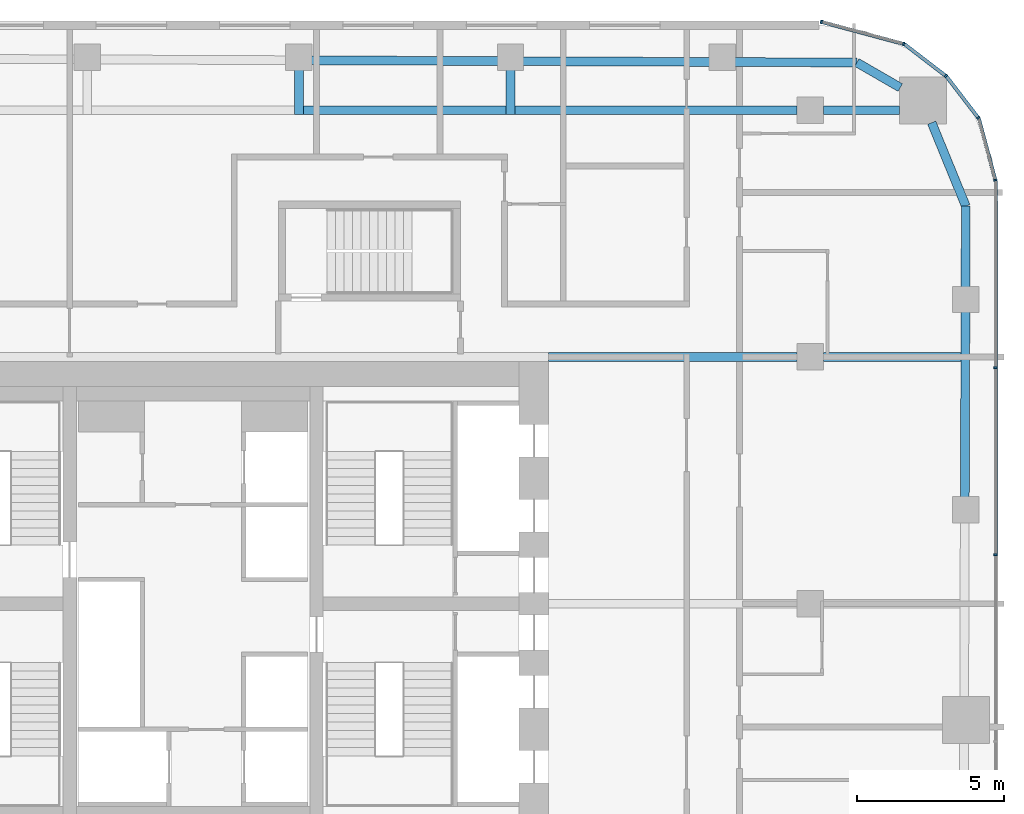
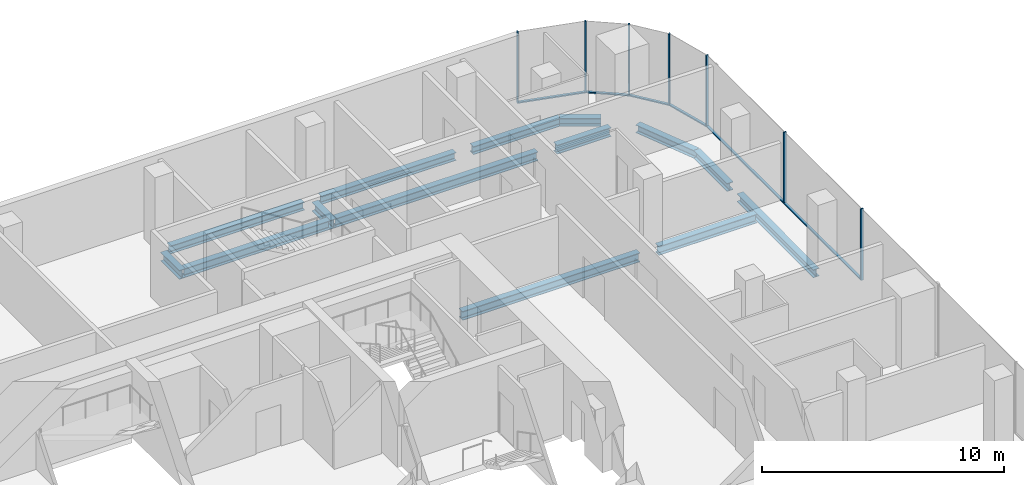
# One storey, part 11 of 23: 14 beams, 13 members, 5 elements without a shape of their own.
"""IFC4 building model written with IfcOpenShell, lengths in metres."""

from ifc_helpers import new_model, si_unit, direction, frame, origin, origin_2d, place, context, subcontext, project, spatial, rectangle, i_section, extrude, material, layer, layer_set, material_profile, profile_set, type_object, element, aggregate, save


model = new_model("IFC4")

# Units and contexts
model_context = context("Model", 3, precision=1e-05, world=origin(), true_north=direction((0.0, 1.0)))
body_context = subcontext(model_context, "Body", "Model", "MODEL_VIEW")
ifc_project = project(units=[si_unit("LENGTHUNIT", "METRE"), si_unit("AREAUNIT", "SQUARE_METRE"), si_unit("VOLUMEUNIT", "CUBIC_METRE"), si_unit("PLANEANGLEUNIT", "RADIAN"), si_unit("MASSUNIT", "GRAM", prefix="KILO")], contexts=[model_context])

# Site, building, storey
site_placement = place(None, origin())
site = spatial("IfcSite", under=ifc_project, at=site_placement, CompositionType="ELEMENT")
building_placement = place(site_placement, origin())
building = spatial("IfcBuilding", under=site, at=building_placement, Name="Marenta Gate Hotel Tower", CompositionType="ELEMENT")
storey_placement = place(building_placement, frame((0.0, 0.0, 148.10009765625)))
storey = spatial("IfcBuildingStorey", under=building, at=storey_placement, Name="L34", CompositionType="ELEMENT", Elevation=148.10009765625)

# Beams
ifc_material_1 = material(Name="Steel S355", Category="steel")
ifc_material_profile_1 = material_profile(ifc_material_1, i_section(OverallWidth=0.300048828125, OverallDepth=0.39990234375, WebThickness=0.013427734375, FlangeThickness=0.02392578125, FilletRadius=0.027099609375, at=origin_2d()), Name="HEB 400")
ifc_profile_set_1 = profile_set([ifc_material_profile_1], Name="Steel S355")
beam_type_1 = type_object("IfcBeamType", Name="Edge beam HEB 400", PredefinedType="SPANDREL", material=ifc_profile_set_1)
beam_1_placement = place(storey_placement, frame((4.011474609375, 26.89697265625, -0.460205078125), z_axis=(0.999991780119, -0.004054589324, 0.0), x_axis=(0.004054589324, 0.999991780119, 0.0)))
element("IfcBeam", 1, at=beam_1_placement, inside=storey, type_object=beam_type_1, Name="L34-EB-17", PredefinedType="SPANDREL", context=body_context, shape_type="SweptSolid", body=[
    extrude(i_section(OverallWidth=0.300048828125, OverallDepth=0.39990234375, WebThickness=0.013427734375, FlangeThickness=0.02392578125, FilletRadius=0.027099609375, at=origin_2d()), origin(), (0.0, 0.0, 1.0), 6.382568359375),
])
beam_2_placement = place(storey_placement, frame((11.214111328125, 26.86767578125, -0.460205078125), z_axis=(0.999991780748, -0.00405443424, 0.0), x_axis=(0.00405443424, 0.999991780748, 0.0)))
element("IfcBeam", 2, at=beam_2_placement, inside=storey, type_object=beam_type_1, Name="L34-EB-18", PredefinedType="SPANDREL", context=body_context, shape_type="SweptSolid", body=[
    extrude(i_section(OverallWidth=0.300048828125, OverallDepth=0.39990234375, WebThickness=0.013427734375, FlangeThickness=0.02392578125, FilletRadius=0.027099609375, at=origin_2d()), origin(), (0.0, 0.0, 1.0), 6.3828125),
])
beam_3_placement = place(storey_placement, frame((18.4169921875, 26.83837890625, -0.460205078125), z_axis=(0.999991621459, -0.004093532953, 0.0), x_axis=(0.004093532953, 0.999991621459, 0.0)))
element("IfcBeam", 3, at=beam_3_placement, inside=storey, type_object=beam_type_1, Name="L34-EB-19", PredefinedType="SPANDREL", context=body_context, shape_type="SweptSolid", body=[
    extrude(i_section(OverallWidth=0.300048828125, OverallDepth=0.39990234375, WebThickness=0.013427734375, FlangeThickness=0.02392578125, FilletRadius=0.027099609375, at=origin_2d()), origin(), (0.0, 0.0, 1.0), 4.1748046875),
])
beam_4_placement = place(storey_placement, frame((22.591796875, 26.8212890625, -0.460205078125), z_axis=(0.866016478054, -0.500015459501, 0.0), x_axis=(0.500015459501, 0.866016478054, 0.0)))
element("IfcBeam", 4, at=beam_4_placement, inside=storey, type_object=beam_type_1, Name="L34-EB-20", PredefinedType="SPANDREL", context=body_context, shape_type="SweptSolid", body=[
    extrude(i_section(OverallWidth=0.300048828125, OverallDepth=0.39990234375, WebThickness=0.013427734375, FlangeThickness=0.02392578125, FilletRadius=0.027099609375, at=origin_2d()), origin(), (0.0, 0.0, 1.0), 1.70703125),
])
beam_5_placement = place(storey_placement, frame((25.138916015625, 24.7724609375, -0.460205078125), z_axis=(0.378682450416, -0.925526661824, 0.0), x_axis=(0.925526661824, 0.378682450416, 0.0)))
element("IfcBeam", 5, at=beam_5_placement, inside=storey, type_object=beam_type_1, Name="L34-EB-21", PredefinedType="SPANDREL", context=body_context, shape_type="SweptSolid", body=[
    extrude(i_section(OverallWidth=0.300048828125, OverallDepth=0.39990234375, WebThickness=0.013427734375, FlangeThickness=0.02392578125, FilletRadius=0.027099609375, at=origin_2d()), origin(), (0.0, 0.0, 1.0), 3.066162109375),
])
beam_6_placement = place(storey_placement, frame((26.300048828125, 21.9345703125, -0.460205078125), z_axis=(-0.003351542298, -0.999994383566, 0.0), x_axis=(0.999994383566, -0.003351542298, 0.0)))
element("IfcBeam", 6, at=beam_6_placement, inside=storey, type_object=beam_type_1, Name="L34-EB-22", PredefinedType="SPANDREL", context=body_context, shape_type="SweptSolid", body=[
    extrude(i_section(OverallWidth=0.300048828125, OverallDepth=0.39990234375, WebThickness=0.013427734375, FlangeThickness=0.02392578125, FilletRadius=0.027099609375, at=origin_2d()), origin(), (0.0, 0.0, 1.0), 2.76806640625),
])
beam_7_placement = place(storey_placement, frame((26.2880859375, 18.346435546875, -0.460205078125), z_axis=(-0.00335374545, -0.99999437618, 0.0), x_axis=(0.99999437618, -0.00335374545, 0.0)))
element("IfcBeam", 7, at=beam_7_placement, inside=storey, type_object=beam_type_1, Name="L34-EB-23", PredefinedType="SPANDREL", context=body_context, shape_type="SweptSolid", body=[
    extrude(i_section(OverallWidth=0.300048828125, OverallDepth=0.39990234375, WebThickness=0.013427734375, FlangeThickness=0.02392578125, FilletRadius=0.027099609375, at=origin_2d()), origin(), (0.0, 0.0, 1.0), 6.333251953125),
])
ifc_material_2 = material(Name="Steel S355", Category="steel")
ifc_material_profile_2 = material_profile(ifc_material_2, i_section(OverallWidth=0.300048828125, OverallDepth=0.449951171875, WebThickness=0.013916015625, FlangeThickness=0.02587890625, FilletRadius=0.027099609375, at=origin_2d()), Name="HEB 450")
ifc_profile_set_2 = profile_set([ifc_material_profile_2], Name="Steel S355")
beam_type_2 = type_object("IfcBeamType", Name="Girder HEB 450", PredefinedType="BEAM", material=ifc_profile_set_2)
beam_8_placement = place(storey_placement, frame((12.10009765625, 16.800048828125, -0.485107421875), z_axis=(1.0, 0.0, 0.0), x_axis=(0.0, 1.0, 0.0)))
element("IfcBeam", 8, at=beam_8_placement, inside=storey, type_object=beam_type_2, Name="L34-GD-27", PredefinedType="BEAM", context=body_context, shape_type="SweptSolid", body=[
    extrude(i_section(OverallWidth=0.300048828125, OverallDepth=0.449951171875, WebThickness=0.013916015625, FlangeThickness=0.02587890625, FilletRadius=0.027099609375, at=origin_2d()), origin(), (0.0, 0.0, 1.0), 8.449951171875),
])
beam_9_placement = place(storey_placement, frame((21.449951171875, 16.800048828125, -0.485107421875), z_axis=(1.0, 0.0, 0.0), x_axis=(0.0, 1.0, 0.0)))
element("IfcBeam", 9, at=beam_9_placement, inside=storey, type_object=beam_type_2, Name="L34-GD-28", PredefinedType="BEAM", context=body_context, shape_type="SweptSolid", body=[
    extrude(i_section(OverallWidth=0.300048828125, OverallDepth=0.449951171875, WebThickness=0.013916015625, FlangeThickness=0.02587890625, FilletRadius=0.027099609375, at=origin_2d()), origin(), (0.0, 0.0, 1.0), 4.682861328125),
])
beam_10_placement = place(storey_placement, frame((3.75146484375, 25.199951171875, -0.485107421875), z_axis=(1.0, 0.0, 0.0), x_axis=(0.0, 1.0, 0.0)))
element("IfcBeam", 10, at=beam_10_placement, inside=storey, type_object=beam_type_2, Name="L34-GD-33", PredefinedType="BEAM", context=body_context, shape_type="SweptSolid", body=[
    extrude(i_section(OverallWidth=0.300048828125, OverallDepth=0.449951171875, WebThickness=0.013916015625, FlangeThickness=0.02587890625, FilletRadius=0.027099609375, at=origin_2d()), origin(), (0.0, 0.0, 1.0), 6.902587890625),
])
beam_11_placement = place(storey_placement, frame((10.9541015625, 25.199951171875, -0.485107421875), z_axis=(1.0, 0.0, 0.0), x_axis=(0.0, 1.0, 0.0)))
element("IfcBeam", 11, at=beam_11_placement, inside=storey, type_object=beam_type_2, Name="L34-GD-34", PredefinedType="BEAM", context=body_context, shape_type="SweptSolid", body=[
    extrude(i_section(OverallWidth=0.300048828125, OverallDepth=0.449951171875, WebThickness=0.013916015625, FlangeThickness=0.02587890625, FilletRadius=0.027099609375, at=origin_2d()), origin(), (0.0, 0.0, 1.0), 9.595947265625),
])
beam_12_placement = place(storey_placement, frame((21.449951171875, 25.199951171875, -0.485107421875), z_axis=(1.0, 0.0, 0.0), x_axis=(0.0, 1.0, 0.0)))
element("IfcBeam", 12, at=beam_12_placement, inside=storey, type_object=beam_type_2, Name="L34-GD-35", PredefinedType="BEAM", context=body_context, shape_type="SweptSolid", body=[
    extrude(i_section(OverallWidth=0.300048828125, OverallDepth=0.449951171875, WebThickness=0.013916015625, FlangeThickness=0.02587890625, FilletRadius=0.027099609375, at=origin_2d()), origin(), (0.0, 0.0, 1.0), 2.58544921875),
])
ifc_material_3 = material(Name="Steel S355", Category="steel")
ifc_material_profile_3 = material_profile(ifc_material_3, i_section(OverallWidth=0.300048828125, OverallDepth=0.449951171875, WebThickness=0.013916015625, FlangeThickness=0.02587890625, FilletRadius=0.027099609375, at=origin_2d()), Name="HEB 450")
ifc_profile_set_3 = profile_set([ifc_material_profile_3], Name="Steel S355")
beam_type_3 = type_object("IfcBeamType", Name="Girder bracket HEB 450", PredefinedType="BEAM", material=ifc_profile_set_3)
for number, where, z_axis, x_axis, name in (
    (13, (3.601318359375, 25.050048828125, -0.485107421875), (0.0, 1.0, 0.0), (-1.0, 0.0, 0.0), "L34-GS-3"),
    (14, (10.80419921875, 25.050048828125, -0.485107421875), (0.0, 1.0, 0.0), (-1.0, 0.0, 0.0), "L34-GS-4"),
):
    element("IfcBeam", number, at=place(storey_placement, frame(where, z_axis=z_axis, x_axis=x_axis)), inside=storey, type_object=beam_type_3, Name=name, PredefinedType="BEAM", context=body_context, shape_type="SweptSolid", body=[
        extrude(i_section(OverallWidth=0.300048828125, OverallDepth=0.449951171875, WebThickness=0.013916015625, FlangeThickness=0.02587890625, FilletRadius=0.027099609375, at=origin_2d()), origin(), (0.0, 0.0, 1.0), 1.5400390625),
    ])

# Curtain wall, members
ifc_material_4 = material(Name="Tinted insulated glass in bronze anodised frame", Category="glass")
ifc_layer = layer(ifc_material_4, 0.1201171875)
ifc_layer_set = layer_set([ifc_layer], Name="Tinted insulated glass in bronze anodised frame")
curtain_wall_type = type_object("IfcCurtainWallType", Name="Tower unitised curtain wall CW1", PredefinedType="NOTDEFINED", material=ifc_layer_set)
curtain_wall_1_placement = place(storey_placement, origin())
curtain_wall_1 = element("IfcCurtainWall", 15, at=curtain_wall_1_placement, inside=storey, type_object=curtain_wall_type, Name="CW1 run G11", PredefinedType="NOTDEFINED")
ifc_material_5 = material(Name="Bronze anodised aluminium", Category="aluminium")
ifc_material_profile_4 = material_profile(ifc_material_5, rectangle(XDim=0.1201171875, YDim=0.06005859375, at=origin_2d()), Name="Mullion CW1 60x120 bronze anodised aluminium")
ifc_profile_set_4 = profile_set([ifc_material_profile_4], Name="Bronze anodised aluminium")
member_type_1 = type_object("IfcMemberType", Name="Mullion CW1 60x120 bronze anodised aluminium", PredefinedType="MULLION", material=ifc_profile_set_4)
member_1_placement = place(storey_placement, frame((27.31396484375, 10.072021484375, 0.0), z_axis=(0.0, 0.0, 1.0), x_axis=(-1.0, 0.0, 0.0)))
member_1 = element("IfcMember", 16, at=member_1_placement, type_object=member_type_1, Name="CW1 mullion 5", PredefinedType="MULLION", context=body_context, shape_type="SweptSolid", body=[
    extrude(rectangle(XDim=0.1201171875, YDim=0.06005859375, at=origin_2d()), origin(), (0.0, 0.0, 1.0), 3.599853515625),
])
member_2_placement = place(storey_placement, frame((27.31396484375, 16.431884765625, 0.0), z_axis=(0.0, 0.0, 1.0), x_axis=(-1.0, 0.0, 0.0)))
member_2 = element("IfcMember", 17, at=member_2_placement, type_object=member_type_1, Name="CW1 mullion 6", PredefinedType="MULLION", context=body_context, shape_type="SweptSolid", body=[
    extrude(rectangle(XDim=0.1201171875, YDim=0.06005859375, at=origin_2d()), origin(), (0.0, 0.0, 1.0), 3.599853515625),
])

# Curtain wall, member
curtain_wall_2_placement = place(storey_placement, origin())
curtain_wall_2 = element("IfcCurtainWall", 18, at=curtain_wall_2_placement, inside=storey, type_object=curtain_wall_type, Name="CW1 run G12", PredefinedType="NOTDEFINED")
member_3_placement = place(storey_placement, frame((27.30615234375, 22.82080078125, 0.0), z_axis=(0.0, 0.0, 1.0), x_axis=(-0.965924859908, -0.258822651658, 0.0)))
member_3 = element("IfcMember", 19, at=member_3_placement, type_object=member_type_1, Name="CW1 mullion 1", PredefinedType="MULLION", context=body_context, shape_type="SweptSolid", body=[
    extrude(rectangle(XDim=0.1201171875, YDim=0.06005859375, at=origin_2d()), origin(), (0.0, 0.0, 1.0), 3.599853515625),
])

curtain_wall_3_placement = place(storey_placement, origin())
curtain_wall_3 = element("IfcCurtainWall", 20, at=curtain_wall_3_placement, inside=storey, type_object=curtain_wall_type, Name="CW1 run G13", PredefinedType="NOTDEFINED")
member_4_placement = place(storey_placement, frame((26.727783203125, 24.93505859375, 0.0), z_axis=(0.0, 0.0, 1.0), x_axis=(-0.793326722289, -0.608796116694, 0.0)))
member_4 = element("IfcMember", 21, at=member_4_placement, type_object=member_type_1, Name="CW1 mullion 1", PredefinedType="MULLION", context=body_context, shape_type="SweptSolid", body=[
    extrude(rectangle(XDim=0.1201171875, YDim=0.06005859375, at=origin_2d()), origin(), (0.0, 0.0, 1.0), 3.599853515625),
])

curtain_wall_4_placement = place(storey_placement, origin())
curtain_wall_4 = element("IfcCurtainWall", 22, at=curtain_wall_4_placement, inside=storey, type_object=curtain_wall_type, Name="CW1 run G14", PredefinedType="NOTDEFINED")
member_5_placement = place(storey_placement, frame((25.62158203125, 26.36376953125, 0.0), z_axis=(0.0, 0.0, 1.0), x_axis=(-0.608796116694, -0.793326722289, 0.0)))
member_5 = element("IfcMember", 23, at=member_5_placement, type_object=member_type_1, Name="CW1 mullion 1", PredefinedType="MULLION", context=body_context, shape_type="SweptSolid", body=[
    extrude(rectangle(XDim=0.1201171875, YDim=0.06005859375, at=origin_2d()), origin(), (0.0, 0.0, 1.0), 3.599853515625),
])

# Curtain wall, members
curtain_wall_5_placement = place(storey_placement, origin())
curtain_wall_5 = element("IfcCurtainWall", 24, at=curtain_wall_5_placement, inside=storey, type_object=curtain_wall_type, Name="CW1 run G15", PredefinedType="NOTDEFINED")
member_6_placement = place(storey_placement, frame((24.182373046875, 27.453857421875, 0.0), z_axis=(0.0, 0.0, 1.0), x_axis=(-0.258805989975, -0.965929324305, 0.0)))
member_6 = element("IfcMember", 25, at=member_6_placement, type_object=member_type_1, Name="CW1 mullion 1", PredefinedType="MULLION", context=body_context, shape_type="SweptSolid", body=[
    extrude(rectangle(XDim=0.1201171875, YDim=0.06005859375, at=origin_2d()), origin(), (0.0, 0.0, 1.0), 3.599853515625),
])
member_7_placement = place(storey_placement, frame((21.385498046875, 28.203125, 0.0), z_axis=(0.0, 0.0, 1.0), x_axis=(-0.258805989975, -0.965929324305, 0.0)))
member_7 = element("IfcMember", 26, at=member_7_placement, type_object=member_type_1, Name="CW1 mullion 2", PredefinedType="MULLION", context=body_context, shape_type="SweptSolid", body=[
    extrude(rectangle(XDim=0.1201171875, YDim=0.06005859375, at=origin_2d()), origin(), (0.0, 0.0, 1.0), 3.599853515625),
])

# Member
ifc_material_6 = material(Name="Bronze anodised aluminium", Category="aluminium")
ifc_material_profile_5 = material_profile(ifc_material_6, rectangle(XDim=0.1201171875, YDim=0.06005859375, at=origin_2d()), Name="Transom CW1 60x120 bronze anodised aluminium")
ifc_profile_set_5 = profile_set([ifc_material_profile_5], Name="Bronze anodised aluminium")
member_type_2 = type_object("IfcMemberType", Name="Transom CW1 60x120 bronze anodised aluminium", PredefinedType="USERDEFINED", material=ifc_profile_set_5)
member_8_placement = place(storey_placement, frame((27.31396484375, 10.10205078125, 0.02978515625), z_axis=(0.0, 1.0, 0.0), x_axis=(-1.0, 0.0, 0.0)))
member_8 = element("IfcMember", 27, at=member_8_placement, type_object=member_type_2, Name="CW1 transom 5.1", ObjectType="TRANSOM", PredefinedType="USERDEFINED", context=body_context, shape_type="SweptSolid", body=[
    extrude(rectangle(XDim=0.1201171875, YDim=0.06005859375, at=origin_2d()), origin(), (0.0, 0.0, 1.0), 6.2998046875),
])

member_9_placement = place(storey_placement, frame((27.31396484375, 16.4619140625, 0.02978515625), z_axis=(0.0, 1.0, 0.0), x_axis=(-1.0, 0.0, 0.0)))
member_9 = element("IfcMember", 28, at=member_9_placement, type_object=member_type_2, Name="CW1 transom 6.1", ObjectType="TRANSOM", PredefinedType="USERDEFINED", context=body_context, shape_type="SweptSolid", body=[
    extrude(rectangle(XDim=0.1201171875, YDim=0.06005859375, at=origin_2d()), origin(), (0.0, 0.0, 1.0), 6.330078125),
])

aggregate(curtain_wall_1, [member_1, member_2, member_8, member_9])

member_10_placement = place(storey_placement, frame((27.298583984375, 22.849853515625, 0.02978515625), z_axis=(-0.258865686882, 0.965913327455, 0.0), x_axis=(-0.965913327455, -0.258865686882, 0.0)))
member_10 = element("IfcMember", 29, at=member_10_placement, type_object=member_type_2, Name="CW1 transom 1.1", ObjectType="TRANSOM", PredefinedType="USERDEFINED", context=body_context, shape_type="SweptSolid", body=[
    extrude(rectangle(XDim=0.1201171875, YDim=0.06005859375, at=origin_2d()), origin(), (0.0, 0.0, 1.0), 2.13427734375),
])

aggregate(curtain_wall_2, [member_3, member_10])

member_11_placement = place(storey_placement, frame((26.70947265625, 24.958984375, 0.02978515625), z_axis=(-0.608792205599, 0.793329723634, 0.0), x_axis=(-0.793329723634, -0.608792205599, 0.0)))
member_11 = element("IfcMember", 30, at=member_11_placement, type_object=member_type_2, Name="CW1 transom 1.1", ObjectType="TRANSOM", PredefinedType="USERDEFINED", context=body_context, shape_type="SweptSolid", body=[
    extrude(rectangle(XDim=0.1201171875, YDim=0.06005859375, at=origin_2d()), origin(), (0.0, 0.0, 1.0), 1.74755859375),
])

aggregate(curtain_wall_3, [member_4, member_11])

member_12_placement = place(storey_placement, frame((25.597900390625, 26.382080078125, 0.02978515625), z_axis=(-0.793381490019, 0.608724741814, 0.0), x_axis=(-0.608724741814, -0.793381490019, 0.0)))
member_12 = element("IfcMember", 31, at=member_12_placement, type_object=member_type_2, Name="CW1 transom 1.1", ObjectType="TRANSOM", PredefinedType="USERDEFINED", context=body_context, shape_type="SweptSolid", body=[
    extrude(rectangle(XDim=0.1201171875, YDim=0.06005859375, at=origin_2d()), origin(), (0.0, 0.0, 1.0), 1.747802734375),
])

aggregate(curtain_wall_4, [member_5, member_12])

member_13_placement = place(storey_placement, frame((24.1533203125, 27.461669921875, 0.02978515625), z_axis=(-0.965922684272, 0.258830770986, 0.0), x_axis=(-0.258830770986, -0.965922684272, 0.0)))
member_13 = element("IfcMember", 32, at=member_13_placement, type_object=member_type_2, Name="CW1 transom 1.1", ObjectType="TRANSOM", PredefinedType="USERDEFINED", context=body_context, shape_type="SweptSolid", body=[
    extrude(rectangle(XDim=0.1201171875, YDim=0.06005859375, at=origin_2d()), origin(), (0.0, 0.0, 1.0), 2.83544921875),
])

aggregate(curtain_wall_5, [member_6, member_7, member_13])

save(model, "model.ifc")
